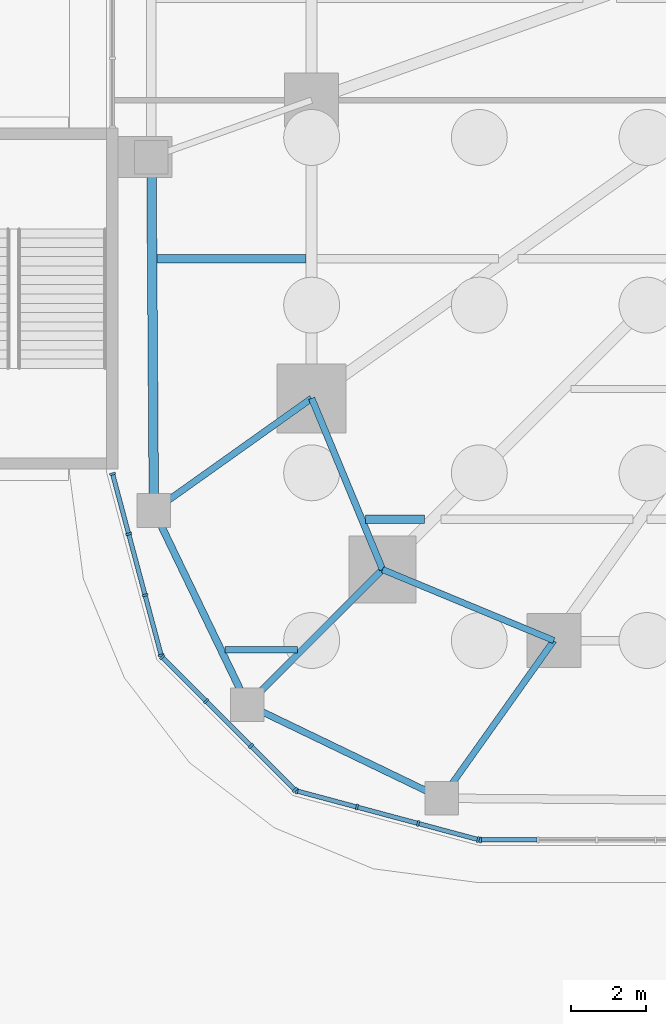
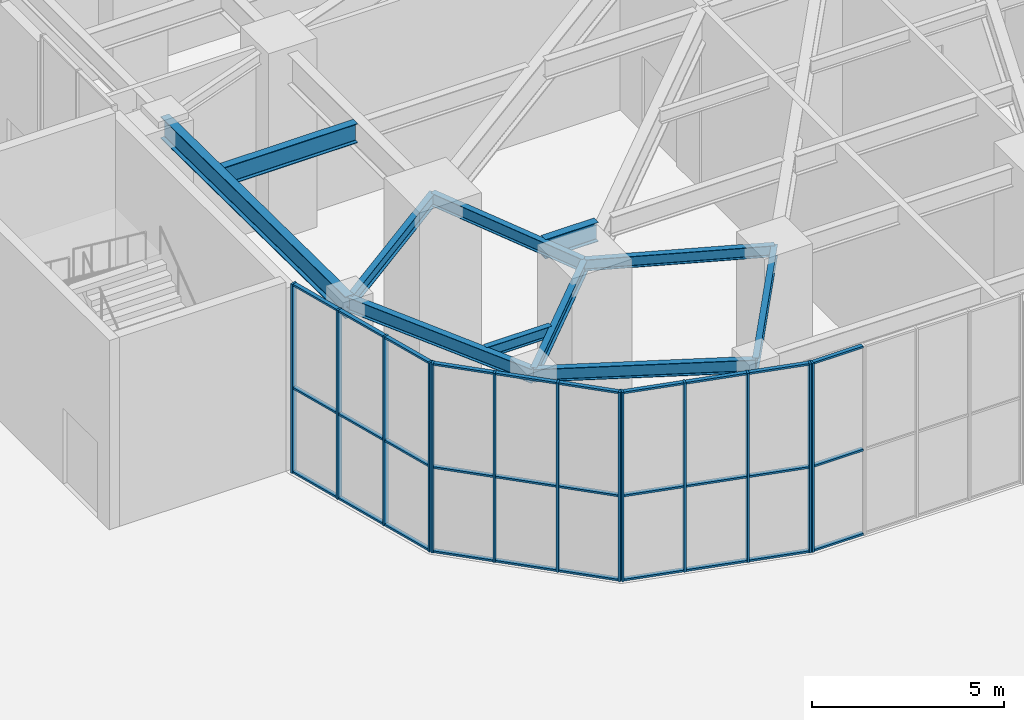
# One storey, part 5 of 43: 43 members, 11 beams, 4 elements without a shape of their own.
"""IFC4 building model written with IfcOpenShell, lengths in metres."""

import ifcopenshell
import ifcopenshell.guid

model = None  # the IFC model being written
_history = None  # IfcOwnerHistory: only IFC2X3 demands one
_inside = {}  # id of a spatial element -> (the spatial element, [elements in it])
_under = {}  # id of a project, library or spatial element -> (it, [spatial elements below it])
_declared = {}  # id of a project -> (the project, [libraries it declares])
_typed = {}  # id of a type object -> (the type object, [elements of that type])
_made_of = {}  # id of a material, layer set ... -> (it, [elements and type objects made of it])


def new_model(schema):
    """Start an empty IFC model of exactly this schema.

    Asked for "IFC4X3", IfcOpenShell would pick the latest addendum, in which some entities
    have other attributes; the version numbers below select the first issue.
    IFC2X3 requires an IfcOwnerHistory on every rooted entity: one is made here for all.
    """
    global model, _history
    if schema == "IFC4X3":
        model = ifcopenshell.file(schema_version=(4, 3, 0, 0))
    else:
        model = ifcopenshell.file(schema=schema)
    _inside.clear()
    _under.clear()
    _declared.clear()
    _typed.clear()
    _made_of.clear()
    _history = None
    if model.schema == "IFC2X3":
        org = make("IfcOrganization", Name="unknown")
        user = make(
            "IfcPersonAndOrganization",
            ThePerson=make("IfcPerson", FamilyName="unknown"),
            TheOrganization=org,
        )
        app = make(
            "IfcApplication",
            ApplicationDeveloper=org,
            Version="unknown",
            ApplicationFullName="unknown",
            ApplicationIdentifier="unknown",
        )
        _history = make(
            "IfcOwnerHistory",
            OwningUser=user,
            OwningApplication=app,
            ChangeAction="ADDED",
            CreationDate=0,
        )
    return model


def make(cls, **values):
    """One entity of the class cls with the attributes given. An attribute that is None is left unset."""
    return model.create_entity(
        cls, **{name: value for name, value in values.items() if value is not None}
    )


def rooted(cls, **values):
    """An entity with a GlobalId (a new one), such as an element, a storey or a relation."""
    return make(cls, GlobalId=ifcopenshell.guid.new(), OwnerHistory=_history, **values)


def si_unit(unit_type, name, prefix=None):
    """IfcSIUnit, for example si_unit("LENGTHUNIT", "METRE", prefix="MILLI")."""
    return make("IfcSIUnit", UnitType=unit_type, Prefix=prefix, Name=name)


def assignment(units):
    """IfcUnitAssignment: the units of a project."""
    return None if units is None else make("IfcUnitAssignment", Units=units)


def point(xyz):
    """IfcCartesianPoint."""
    return None if xyz is None else make("IfcCartesianPoint", Coordinates=xyz)


def direction(xyz):
    """IfcDirection."""
    return None if xyz is None else make("IfcDirection", DirectionRatios=xyz)


def frame(location, z_axis=None, x_axis=None):
    """IfcAxis2Placement3D, a coordinate frame: its origin and axes. An axis left out is left unset."""
    return make(
        "IfcAxis2Placement3D",
        Location=point(location),
        Axis=direction(z_axis),
        RefDirection=direction(x_axis),
    )


def frame_2d(location, x_axis=None):
    """IfcAxis2Placement2D, a coordinate frame in the plane: its origin and x axis."""
    return make(
        "IfcAxis2Placement2D", Location=point(location), RefDirection=direction(x_axis)
    )


def origin():
    """The frame at (0, 0, 0) with its axes left unset."""
    return frame((0.0, 0.0, 0.0))


def origin_2d():
    """The frame at (0, 0) in the plane with its x axis left unset."""
    return frame_2d((0.0, 0.0))


def place(relative_to, where):
    """IfcLocalPlacement: puts the frame where relative to a parent placement (None: the world)."""
    return make(
        "IfcLocalPlacement", PlacementRelTo=relative_to, RelativePlacement=where
    )


def context(
    kind, dimensions, precision=None, world=None, true_north=None, identifier=None
):
    """IfcGeometricRepresentationContext, for example the 3D "Model" context."""
    return make(
        "IfcGeometricRepresentationContext",
        ContextIdentifier=identifier,
        ContextType=kind,
        CoordinateSpaceDimension=dimensions,
        Precision=precision,
        WorldCoordinateSystem=world,
        TrueNorth=true_north,
    )


def subcontext(parent, identifier, kind, view, scale=None):
    """IfcGeometricRepresentationSubContext, for example "Body" below "Model"."""
    return make(
        "IfcGeometricRepresentationSubContext",
        ContextIdentifier=identifier,
        ContextType=kind,
        ParentContext=parent,
        TargetScale=scale,
        TargetView=view,
    )


def project(units=None, contexts=None):
    """IfcProject with its units and contexts."""
    return rooted(
        "IfcProject",
        Name="project",
        RepresentationContexts=contexts,
        UnitsInContext=assignment(units),
    )


def spatial(cls, under=None, at=None, **own):
    """A site, building, storey or space (cls), placed at a placement, below another one or the project."""
    s = rooted(cls, ObjectPlacement=at, **own)
    if under is not None:
        _under.setdefault(under.id(), (under, []))[1].append(s)
    return s


def profile(cls, at=None, kind="AREA", **sizes):
    """A parametric profile (cls). Its sizes go by their IFC names, for example OverallWidth=200.0."""
    return make(cls, ProfileType=kind, Position=at, **sizes)


def rectangle(**sizes):
    """IfcRectangleProfileDef."""
    return profile("IfcRectangleProfileDef", **sizes)


def i_section(**sizes):
    """IfcIShapeProfileDef."""
    return profile("IfcIShapeProfileDef", **sizes)


def extrude(swept, where, along, depth):
    """IfcExtrudedAreaSolid: the profile swept, set in the frame where, extruded along a direction by depth."""
    return make(
        "IfcExtrudedAreaSolid",
        SweptArea=swept,
        Position=where,
        ExtrudedDirection=direction(along),
        Depth=depth,
    )


def shape(context_of_items, identifier, shape_type, items):
    """IfcShapeRepresentation: the items that make up one representation, for example the "Body"."""
    return make(
        "IfcShapeRepresentation",
        ContextOfItems=context_of_items,
        RepresentationIdentifier=identifier,
        RepresentationType=shape_type,
        Items=items,
    )


def material(Name=None, Category=None):
    """IfcMaterial."""
    return make("IfcMaterial", Name=Name, Category=Category)


def material_profile(
    of_material, cross_section, Name=None, Category=None, Priority=None
):
    """IfcMaterialProfile: a cross section and its material."""
    return make(
        "IfcMaterialProfile",
        Name=Name,
        Material=of_material,
        Profile=cross_section,
        Priority=Priority,
        Category=Category,
    )


def profile_set(profiles, Name=None, composite=None):
    """IfcMaterialProfileSet."""
    return make(
        "IfcMaterialProfileSet",
        Name=Name,
        MaterialProfiles=profiles,
        CompositeProfile=composite,
    )


def made_of(thing, what):
    """Note that an element or type object is made of a material, layer set ...; save() writes the relation."""
    if what is not None:
        _made_of.setdefault(what.id(), (what, []))[1].append(thing)
    return thing


def type_object(cls, material=None, **own):
    """A type object (cls), such as IfcWallType, which elements share."""
    return made_of(rooted(cls, **own), material)


def element(
    cls,
    number,
    at=None,
    inside=None,
    cuts=None,
    type_object=None,
    material=None,
    context=None,
    identifier="Body",
    shape_type=None,
    held_by="IfcProductDefinitionShape",
    body=None,
    shapes=None,
    **own,
):
    """One element of the class cls, such as IfcWall. Its Tag is "e" and its number.

    at: its placement. inside: the storey or other place that contains it. cuts: it is an
    opening in that element (IfcRelVoidsElement). A single representation is given by context,
    identifier, shape_type and body (its items); several are given by shapes. held_by: the class
    of the entity that holds the representations. save() writes the other relations.
    """
    e = rooted(cls, Tag="e%d" % number, ObjectPlacement=at, **own)
    if body is not None:
        shapes = [shape(context, identifier, shape_type, body)]
    if shapes is not None:
        e.Representation = make(held_by, Representations=shapes)
    if inside is not None:
        _inside.setdefault(inside.id(), (inside, []))[1].append(e)
    if cuts is not None:
        rooted(
            "IfcRelVoidsElement", RelatingBuildingElement=cuts, RelatedOpeningElement=e
        )
    if type_object is not None:
        _typed.setdefault(type_object.id(), (type_object, []))[1].append(e)
    return made_of(e, material)


def aggregate(whole, parts):
    """IfcRelAggregates: a whole, such as a stair, and the parts it consists of."""
    return rooted("IfcRelAggregates", RelatingObject=whole, RelatedObjects=parts)


def save(model, path):
    """Write the relations noted so far, then the file.

    IfcRelAggregates (storeys below a building ...), IfcRelContainedInSpatialStructure (elements
    in a storey), IfcRelDefinesByType, IfcRelAssociatesMaterial and IfcRelDeclares: one each for
    every whole, place, type object, material and project.
    """
    for whole, parts in _under.values():
        aggregate(whole, parts)
    for where, things in _inside.values():
        rooted(
            "IfcRelContainedInSpatialStructure",
            RelatedElements=things,
            RelatingStructure=where,
        )
    for kind, things in _typed.values():
        rooted("IfcRelDefinesByType", RelatedObjects=things, RelatingType=kind)
    for what, things in _made_of.values():
        rooted("IfcRelAssociatesMaterial", RelatedObjects=things, RelatingMaterial=what)
    for by, libraries in _declared.values():
        rooted("IfcRelDeclares", RelatingContext=by, RelatedDefinitions=libraries)
    model.write(path)


model = new_model("IFC4")

# Units and contexts
model_context = context("Model", 3, precision=1e-05, world=origin(), true_north=direction((0.0, 1.0)))
body_context = subcontext(model_context, "Body", "Model", "MODEL_VIEW")
ifc_project = project(units=[si_unit("LENGTHUNIT", "METRE"), si_unit("AREAUNIT", "SQUARE_METRE"), si_unit("VOLUMEUNIT", "CUBIC_METRE"), si_unit("PLANEANGLEUNIT", "RADIAN"), si_unit("MASSUNIT", "GRAM", prefix="KILO")], contexts=[model_context])

# Site, building, storey
site_placement = place(None, origin())
site = spatial("IfcSite", under=ifc_project, at=site_placement, CompositionType="ELEMENT")
building_placement = place(site_placement, origin())
building = spatial("IfcBuilding", under=site, at=building_placement, Name="Nakasero Lantern House", CompositionType="ELEMENT")
storey_placement = place(building_placement, origin())
storey = spatial("IfcBuildingStorey", under=building, at=storey_placement, Name="L00", CompositionType="ELEMENT", Elevation=0.0)

# Beams
ifc_material_1 = material(Name="Steel S355", Category="steel")
ifc_material_profile_1 = material_profile(ifc_material_1, i_section(OverallWidth=0.17138671875, OverallDepth=0.35498046875, WebThickness=0.00732421875, FlangeThickness=0.011474609375, FilletRadius=0.01025390625, at=origin_2d()), Name="UB 356x171x51")
ifc_profile_set_1 = profile_set([ifc_material_profile_1], Name="Steel S355")
beam_type_1 = type_object("IfcBeamType", Name="Infill beam UB 356x171x51", PredefinedType="JOIST", material=ifc_profile_set_1)
beam_1_placement = place(storey_placement, frame((-24.82666015625, -22.75, 5.62255859375), z_axis=(1.0, 0.0, 0.0), x_axis=(0.0, 1.0, 0.0)))
element("IfcBeam", 1, at=beam_1_placement, inside=storey, type_object=beam_type_1, Name="Infill beam L01 02.1", PredefinedType="JOIST", context=body_context, shape_type="SweptSolid", body=[
    extrude(i_section(OverallWidth=0.17138671875, OverallDepth=0.35498046875, WebThickness=0.00732421875, FlangeThickness=0.011474609375, FilletRadius=0.01025390625, at=origin_2d()), origin(), (0.0, 0.0, 1.0), 1.950927734375),
])
ifc_material_2 = material(Name="Steel S355", Category="steel")
ifc_material_profile_2 = material_profile(ifc_material_2, i_section(OverallWidth=0.22900390625, OverallDepth=0.6123046875, WebThickness=0.011962890625, FlangeThickness=0.01953125, FilletRadius=0.0126953125, at=origin_2d()), Name="UB 610x229x125")
ifc_profile_set_2 = profile_set([ifc_material_profile_2], Name="Steel S355")
beam_type_2 = type_object("IfcBeamType", Name="Infill beam UB 610x229x125", PredefinedType="JOIST", material=ifc_profile_set_2)
beam_2_placement = place(storey_placement, frame((-21.0576171875, -19.25, 5.493896484375), z_axis=(1.0, 0.0, 0.0), x_axis=(0.0, 1.0, 0.0)))
element("IfcBeam", 2, at=beam_2_placement, inside=storey, type_object=beam_type_2, Name="Infill beam L01 03.1", PredefinedType="JOIST", context=body_context, shape_type="SweptSolid", body=[
    extrude(i_section(OverallWidth=0.22900390625, OverallDepth=0.6123046875, WebThickness=0.011962890625, FlangeThickness=0.01953125, FilletRadius=0.0126953125, at=origin_2d()), origin(), (0.0, 0.0, 1.0), 1.591552734375),
])
beam_3_placement = place(storey_placement, frame((-26.653076171875, -12.25, 5.493896484375), z_axis=(1.0, 0.0, 0.0), x_axis=(0.0, 1.0, 0.0)))
element("IfcBeam", 3, at=beam_3_placement, inside=storey, type_object=beam_type_2, Name="Infill beam L01 05.1", PredefinedType="JOIST", context=body_context, shape_type="SweptSolid", body=[
    extrude(i_section(OverallWidth=0.22900390625, OverallDepth=0.6123046875, WebThickness=0.011962890625, FlangeThickness=0.01953125, FilletRadius=0.0126953125, at=origin_2d()), origin(), (0.0, 0.0, 1.0), 4.003173828125),
])

# Curtain wall, members
ifc_material_3 = material(Name="Aluminium 6063-T6 and glass", Category="aluminium")
curtain_wall_type = type_object("IfcCurtainWallType", Name="Podium shopfront glazing CW-1", PredefinedType="USERDEFINED", material=ifc_material_3)
curtain_wall_1_placement = place(storey_placement, origin())
curtain_wall_1 = element("IfcCurtainWall", 4, at=curtain_wall_1_placement, inside=storey, type_object=curtain_wall_type, Name="Curtain wall CW-1 L00", ObjectType="STICK CURTAIN WALL", PredefinedType="USERDEFINED")
ifc_material_4 = material(Name="Aluminium 6063-T6", Category="aluminium")
ifc_material_profile_3 = material_profile(ifc_material_4, rectangle(XDim=0.06005859375, YDim=0.159912109375, at=origin_2d()), Name="CW-1 mullion 60x160")
ifc_profile_set_3 = profile_set([ifc_material_profile_3], Name="Aluminium 6063-T6")
member_type_1 = type_object("IfcMemberType", Name="Mullion CW-1", PredefinedType="MULLION", material=ifc_profile_set_3)
member_1_placement = place(storey_placement, frame((-27.84228515625, -18.029052734375, 0.0), z_axis=(0.0, 0.0, 1.0), x_axis=(0.258819045103, -0.965925826289, 0.0)))
member_1 = element("IfcMember", 5, at=member_1_placement, type_object=member_type_1, Name="CW-1 mullion 1", PredefinedType="MULLION", context=body_context, shape_type="SweptSolid", body=[
    extrude(rectangle(XDim=0.06005859375, YDim=0.159912109375, at=origin_2d()), origin(), (0.0, 0.0, 1.0), 6.0),
])
member_2_placement = place(storey_placement, frame((-27.41015625, -19.6416015625, 0.0), z_axis=(0.0, 0.0, 1.0), x_axis=(0.258819045103, -0.965925826289, 0.0)))
member_2 = element("IfcMember", 6, at=member_2_placement, type_object=member_type_1, Name="CW-1 mullion 2", PredefinedType="MULLION", context=body_context, shape_type="SweptSolid", body=[
    extrude(rectangle(XDim=0.06005859375, YDim=0.159912109375, at=origin_2d()), origin(), (0.0, 0.0, 1.0), 6.0),
])
member_3_placement = place(storey_placement, frame((-26.97021484375, -21.283447265625, 0.0), z_axis=(0.0, 0.0, 1.0), x_axis=(0.258819045103, -0.965925826289, 0.0)))
member_3 = element("IfcMember", 7, at=member_3_placement, type_object=member_type_1, Name="CW-1 mullion 3", PredefinedType="MULLION", context=body_context, shape_type="SweptSolid", body=[
    extrude(rectangle(XDim=0.06005859375, YDim=0.159912109375, at=origin_2d()), origin(), (0.0, 0.0, 1.0), 6.0),
])
member_4_placement = place(storey_placement, frame((-26.5380859375, -22.89599609375, 0.0), z_axis=(0.0, 0.0, 1.0), x_axis=(0.258819045103, -0.965925826289, 0.0)))
member_4 = element("IfcMember", 8, at=member_4_placement, type_object=member_type_1, Name="CW-1 mullion 4", PredefinedType="MULLION", context=body_context, shape_type="SweptSolid", body=[
    extrude(rectangle(XDim=0.06005859375, YDim=0.159912109375, at=origin_2d()), origin(), (0.0, 0.0, 1.0), 6.0),
])

curtain_wall_2_placement = place(storey_placement, origin())
curtain_wall_2 = element("IfcCurtainWall", 9, at=curtain_wall_2_placement, inside=storey, type_object=curtain_wall_type, Name="Curtain wall CW-1 L00", ObjectType="STICK CURTAIN WALL", PredefinedType="USERDEFINED")
member_5_placement = place(storey_placement, frame((-26.509033203125, -22.9462890625, 0.0), z_axis=(0.0, 0.0, 1.0), x_axis=(0.707106781187, -0.707106781187, 0.0)))
member_5 = element("IfcMember", 10, at=member_5_placement, type_object=member_type_1, Name="CW-1 mullion 1", PredefinedType="MULLION", context=body_context, shape_type="SweptSolid", body=[
    extrude(rectangle(XDim=0.06005859375, YDim=0.159912109375, at=origin_2d()), origin(), (0.0, 0.0, 1.0), 6.0),
])
member_6_placement = place(storey_placement, frame((-25.32861328125, -24.126708984375, 0.0), z_axis=(0.0, 0.0, 1.0), x_axis=(0.707106781187, -0.707106781187, 0.0)))
member_6 = element("IfcMember", 11, at=member_6_placement, type_object=member_type_1, Name="CW-1 mullion 2", PredefinedType="MULLION", context=body_context, shape_type="SweptSolid", body=[
    extrude(rectangle(XDim=0.06005859375, YDim=0.159912109375, at=origin_2d()), origin(), (0.0, 0.0, 1.0), 6.0),
])
member_7_placement = place(storey_placement, frame((-24.126708984375, -25.32861328125, 0.0), z_axis=(0.0, 0.0, 1.0), x_axis=(0.707106781187, -0.707106781187, 0.0)))
member_7 = element("IfcMember", 12, at=member_7_placement, type_object=member_type_1, Name="CW-1 mullion 3", PredefinedType="MULLION", context=body_context, shape_type="SweptSolid", body=[
    extrude(rectangle(XDim=0.06005859375, YDim=0.159912109375, at=origin_2d()), origin(), (0.0, 0.0, 1.0), 6.0),
])
member_8_placement = place(storey_placement, frame((-22.9462890625, -26.509033203125, 0.0), z_axis=(0.0, 0.0, 1.0), x_axis=(0.707106781187, -0.707106781187, 0.0)))
member_8 = element("IfcMember", 13, at=member_8_placement, type_object=member_type_1, Name="CW-1 mullion 4", PredefinedType="MULLION", context=body_context, shape_type="SweptSolid", body=[
    extrude(rectangle(XDim=0.06005859375, YDim=0.159912109375, at=origin_2d()), origin(), (0.0, 0.0, 1.0), 6.0),
])

curtain_wall_3_placement = place(storey_placement, origin())
curtain_wall_3 = element("IfcCurtainWall", 14, at=curtain_wall_3_placement, inside=storey, type_object=curtain_wall_type, Name="Curtain wall CW-1 L00", ObjectType="STICK CURTAIN WALL", PredefinedType="USERDEFINED")
member_9_placement = place(storey_placement, frame((-22.89599609375, -26.5380859375, 0.0), z_axis=(0.0, 0.0, 1.0), x_axis=(0.965925826289, -0.258819045103, 0.0)))
member_9 = element("IfcMember", 15, at=member_9_placement, type_object=member_type_1, Name="CW-1 mullion 1", PredefinedType="MULLION", context=body_context, shape_type="SweptSolid", body=[
    extrude(rectangle(XDim=0.06005859375, YDim=0.159912109375, at=origin_2d()), origin(), (0.0, 0.0, 1.0), 6.0),
])
member_10_placement = place(storey_placement, frame((-21.283447265625, -26.97021484375, 0.0), z_axis=(0.0, 0.0, 1.0), x_axis=(0.965925826289, -0.258819045103, 0.0)))
member_10 = element("IfcMember", 16, at=member_10_placement, type_object=member_type_1, Name="CW-1 mullion 2", PredefinedType="MULLION", context=body_context, shape_type="SweptSolid", body=[
    extrude(rectangle(XDim=0.06005859375, YDim=0.159912109375, at=origin_2d()), origin(), (0.0, 0.0, 1.0), 6.0),
])
member_11_placement = place(storey_placement, frame((-19.6416015625, -27.41015625, 0.0), z_axis=(0.0, 0.0, 1.0), x_axis=(0.965925826289, -0.258819045103, 0.0)))
member_11 = element("IfcMember", 17, at=member_11_placement, type_object=member_type_1, Name="CW-1 mullion 3", PredefinedType="MULLION", context=body_context, shape_type="SweptSolid", body=[
    extrude(rectangle(XDim=0.06005859375, YDim=0.159912109375, at=origin_2d()), origin(), (0.0, 0.0, 1.0), 6.0),
])
member_12_placement = place(storey_placement, frame((-18.029052734375, -27.84228515625, 0.0), z_axis=(0.0, 0.0, 1.0), x_axis=(0.965925826289, -0.258819045103, 0.0)))
member_12 = element("IfcMember", 18, at=member_12_placement, type_object=member_type_1, Name="CW-1 mullion 4", PredefinedType="MULLION", context=body_context, shape_type="SweptSolid", body=[
    extrude(rectangle(XDim=0.06005859375, YDim=0.159912109375, at=origin_2d()), origin(), (0.0, 0.0, 1.0), 6.0),
])

# Curtain wall, member
curtain_wall_4_placement = place(storey_placement, origin())
curtain_wall_4 = element("IfcCurtainWall", 19, at=curtain_wall_4_placement, inside=storey, type_object=curtain_wall_type, Name="Curtain wall CW-1 L00", ObjectType="STICK CURTAIN WALL", PredefinedType="USERDEFINED")
member_13_placement = place(storey_placement, frame((-17.969970703125, -27.85009765625, 0.0), z_axis=(0.0, 0.0, 1.0), x_axis=(1.0, 0.0, 0.0)))
member_13 = element("IfcMember", 20, at=member_13_placement, type_object=member_type_1, Name="CW-1 mullion 1", PredefinedType="MULLION", context=body_context, shape_type="SweptSolid", body=[
    extrude(rectangle(XDim=0.06005859375, YDim=0.159912109375, at=origin_2d()), origin(), (0.0, 0.0, 1.0), 6.0),
])

# Beams
ifc_material_5 = material(Name="Steel S355", Category="steel")
ifc_material_profile_4 = material_profile(ifc_material_5, i_section(OverallWidth=0.17138671875, OverallDepth=0.35498046875, WebThickness=0.00732421875, FlangeThickness=0.011474609375, FilletRadius=0.01025390625, at=origin_2d()), Name="UB 356x171x51")
ifc_profile_set_4 = profile_set([ifc_material_profile_4], Name="Steel S355")
beam_type_3 = type_object("IfcBeamType", Name="Primary beam UB 356x171x51, span to 6 m", PredefinedType="BEAM", material=ifc_profile_set_4)
beam_4_placement = place(storey_placement, frame((-19.0107421875, -26.733642578125, 5.62255859375), z_axis=(0.57954320692, 0.814941514044, 0.0), x_axis=(-0.814941514044, 0.57954320692, 0.0)))
element("IfcBeam", 21, at=beam_4_placement, inside=storey, type_object=beam_type_3, Name="Primary beam L01 POD-C19", PredefinedType="BEAM", context=body_context, shape_type="SweptSolid", body=[
    extrude(i_section(OverallWidth=0.17138671875, OverallDepth=0.35498046875, WebThickness=0.00732421875, FlangeThickness=0.011474609375, FilletRadius=0.01025390625, at=origin_2d()), origin(), (0.0, 0.0, 1.0), 5.195068359375),
])
ifc_material_6 = material(Name="Steel S355", Category="steel")
ifc_material_profile_5 = material_profile(ifc_material_6, i_section(OverallWidth=0.177978515625, OverallDepth=0.406494140625, WebThickness=0.0078125, FlangeThickness=0.0126953125, FilletRadius=0.01025390625, at=origin_2d()), Name="UB 406x178x60")
ifc_profile_set_5 = profile_set([ifc_material_profile_5], Name="Steel S355")
beam_type_4 = type_object("IfcBeamType", Name="Primary beam UB 406x178x60, span to 6 m", PredefinedType="BEAM", material=ifc_profile_set_5)
beam_5_placement = place(storey_placement, frame((-26.733642578125, -19.0107421875, 5.5966796875), z_axis=(0.814941514044, 0.57954320692, 0.0), x_axis=(-0.57954320692, 0.814941514044, 0.0)))
element("IfcBeam", 22, at=beam_5_placement, inside=storey, type_object=beam_type_4, Name="Primary beam L01 POD-C17", PredefinedType="BEAM", context=body_context, shape_type="SweptSolid", body=[
    extrude(i_section(OverallWidth=0.177978515625, OverallDepth=0.406494140625, WebThickness=0.0078125, FlangeThickness=0.0126953125, FilletRadius=0.01025390625, at=origin_2d()), origin(), (0.0, 0.0, 1.0), 5.195068359375),
])
beam_6_placement = place(storey_placement, frame((-24.22265625, -24.22265625, 5.5966796875), z_axis=(0.707106781187, 0.707106781187, 0.0), x_axis=(-0.707106781187, 0.707106781187, 0.0)))
element("IfcBeam", 23, at=beam_6_placement, inside=storey, type_object=beam_type_4, Name="Primary beam L01 POD-C18", PredefinedType="BEAM", context=body_context, shape_type="SweptSolid", body=[
    extrude(i_section(OverallWidth=0.177978515625, OverallDepth=0.406494140625, WebThickness=0.0078125, FlangeThickness=0.0126953125, FilletRadius=0.01025390625, at=origin_2d()), origin(), (0.0, 0.0, 1.0), 5.128662109375),
])
ifc_material_7 = material(Name="Steel S355", Category="steel")
ifc_material_profile_6 = material_profile(ifc_material_7, i_section(OverallWidth=0.17138671875, OverallDepth=0.35498046875, WebThickness=0.00732421875, FlangeThickness=0.011474609375, FilletRadius=0.01025390625, at=origin_2d()), Name="UB 356x171x51")
ifc_profile_set_6 = profile_set([ifc_material_profile_6], Name="Steel S355")
beam_type_5 = type_object("IfcBeamType", Name="Ring beam UB 356x171x51", PredefinedType="BEAM", material=ifc_profile_set_6)
beam_7_placement = place(storey_placement, frame((-20.59619140625, -20.59619140625, 5.62255859375), z_axis=(0.923879264016, -0.382684080569, 0.0), x_axis=(0.382684080569, 0.923879264016, 0.0)))
element("IfcBeam", 24, at=beam_7_placement, inside=storey, type_object=beam_type_5, Name="Ring beam L01 B1-C18", PredefinedType="BEAM", context=body_context, shape_type="SweptSolid", body=[
    extrude(i_section(OverallWidth=0.17138671875, OverallDepth=0.35498046875, WebThickness=0.00732421875, FlangeThickness=0.011474609375, FilletRadius=0.01025390625, at=origin_2d()), origin(), (0.0, 0.0, 1.0), 4.974853515625),
])
ifc_material_8 = material(Name="Steel S355", Category="steel")
ifc_material_profile_7 = material_profile(ifc_material_8, i_section(OverallWidth=0.177978515625, OverallDepth=0.406494140625, WebThickness=0.0078125, FlangeThickness=0.0126953125, FilletRadius=0.01025390625, at=origin_2d()), Name="UB 406x178x60")
ifc_profile_set_7 = profile_set([ifc_material_profile_7], Name="Steel S355")
beam_type_6 = type_object("IfcBeamType", Name="Ring beam UB 406x178x60", PredefinedType="BEAM", material=ifc_profile_set_7)
beam_8_placement = place(storey_placement, frame((-22.5, -16.0, 5.5966796875), z_axis=(0.382684080569, -0.923879264016, 0.0), x_axis=(0.923879264016, 0.382684080569, 0.0)))
element("IfcBeam", 25, at=beam_8_placement, inside=storey, type_object=beam_type_6, Name="Ring beam L01 B1-C17", PredefinedType="BEAM", context=body_context, shape_type="SweptSolid", body=[
    extrude(i_section(OverallWidth=0.177978515625, OverallDepth=0.406494140625, WebThickness=0.0078125, FlangeThickness=0.0126953125, FilletRadius=0.01025390625, at=origin_2d()), origin(), (0.0, 0.0, 1.0), 4.974853515625),
])
beam_9_placement = place(storey_placement, frame((-24.22265625, -24.22265625, 5.5966796875), z_axis=(0.900897176145, -0.434032577134, 0.0), x_axis=(0.434032577134, 0.900897176145, 0.0)))
element("IfcBeam", 26, at=beam_9_placement, inside=storey, type_object=beam_type_6, Name="Ring beam L01 POD-C18", PredefinedType="BEAM", context=body_context, shape_type="SweptSolid", body=[
    extrude(i_section(OverallWidth=0.177978515625, OverallDepth=0.406494140625, WebThickness=0.0078125, FlangeThickness=0.0126953125, FilletRadius=0.01025390625, at=origin_2d()), origin(), (0.0, 0.0, 1.0), 5.78515625),
])
ifc_material_9 = material(Name="Steel S355", Category="steel")
ifc_material_profile_8 = material_profile(ifc_material_9, i_section(OverallWidth=0.18994140625, OverallDepth=0.453369140625, WebThickness=0.008544921875, FlangeThickness=0.0126953125, FilletRadius=0.01025390625, at=origin_2d()), Name="UB 457x191x67")
ifc_profile_set_8 = profile_set([ifc_material_profile_8], Name="Steel S355")
beam_type_7 = type_object("IfcBeamType", Name="Ring beam UB 457x191x67", PredefinedType="BEAM", material=ifc_profile_set_8)
beam_10_placement = place(storey_placement, frame((-26.733642578125, -19.0107421875, 5.5732421875), z_axis=(0.434032577134, -0.900897176145, 0.0), x_axis=(0.900897176145, 0.434032577134, 0.0)))
element("IfcBeam", 27, at=beam_10_placement, inside=storey, type_object=beam_type_7, Name="Ring beam L01 POD-C17", PredefinedType="BEAM", context=body_context, shape_type="SweptSolid", body=[
    extrude(i_section(OverallWidth=0.18994140625, OverallDepth=0.453369140625, WebThickness=0.008544921875, FlangeThickness=0.0126953125, FilletRadius=0.01025390625, at=origin_2d()), origin(), (0.0, 0.0, 1.0), 5.78515625),
])
ifc_material_10 = material(Name="Steel S355", Category="steel")
ifc_material_profile_9 = material_profile(ifc_material_10, i_section(OverallWidth=0.255859375, OverallDepth=0.69287109375, WebThickness=0.014404296875, FlangeThickness=0.023681640625, FilletRadius=0.01513671875, at=origin_2d()), Name="UB 686x254x170")
ifc_profile_set_9 = profile_set([ifc_material_profile_9], Name="Steel S355")
beam_type_8 = type_object("IfcBeamType", Name="Ring beam UB 686x254x170", PredefinedType="BEAM", material=ifc_profile_set_9)
beam_11_placement = place(storey_placement, frame((-26.800048828125, -9.52880859375, 5.45361328125), z_axis=(0.007003278482, -0.999975476745, 0.0), x_axis=(0.999975476745, 0.007003278482, 0.0)))
element("IfcBeam", 28, at=beam_11_placement, inside=storey, type_object=beam_type_8, Name="Ring beam L01 POD-C16", PredefinedType="BEAM", context=body_context, shape_type="SweptSolid", body=[
    extrude(i_section(OverallWidth=0.255859375, OverallDepth=0.69287109375, WebThickness=0.014404296875, FlangeThickness=0.023681640625, FilletRadius=0.01513671875, at=origin_2d()), origin(), (0.0, 0.0, 1.0), 9.482177734375),
])

# Member
ifc_material_11 = material(Name="Aluminium 6063-T6", Category="aluminium")
ifc_material_profile_10 = material_profile(ifc_material_11, rectangle(XDim=0.06005859375, YDim=0.1201171875, at=origin_2d()), Name="CW-1 transom 60x120")
ifc_profile_set_10 = profile_set([ifc_material_profile_10], Name="Aluminium 6063-T6")
member_type_2 = type_object("IfcMemberType", Name="Transom CW-1", PredefinedType="USERDEFINED", material=ifc_profile_set_10)
member_14_placement = place(storey_placement, frame((-27.83447265625, -18.057861328125, 0.030029296875), z_axis=(0.258738612203, -0.96594737463, 0.0), x_axis=(0.0, 0.0, 1.0)))
member_14 = element("IfcMember", 29, at=member_14_placement, type_object=member_type_2, Name="CW-1 transom 1.1", ObjectType="TRANSOM", PredefinedType="USERDEFINED", context=body_context, shape_type="SweptSolid", body=[
    extrude(rectangle(XDim=0.06005859375, YDim=0.1201171875, at=origin_2d()), origin(), (0.0, 0.0, 1.0), 1.60986328125),
])

member_15_placement = place(storey_placement, frame((-27.83447265625, -18.057861328125, 2.699951171875), z_axis=(0.258738612203, -0.96594737463, 0.0), x_axis=(0.0, 0.0, 1.0)))
member_15 = element("IfcMember", 30, at=member_15_placement, type_object=member_type_2, Name="CW-1 transom 1.2", ObjectType="TRANSOM", PredefinedType="USERDEFINED", context=body_context, shape_type="SweptSolid", body=[
    extrude(rectangle(XDim=0.06005859375, YDim=0.1201171875, at=origin_2d()), origin(), (0.0, 0.0, 1.0), 1.60986328125),
])

member_16_placement = place(storey_placement, frame((-27.83447265625, -18.057861328125, 5.969970703125), z_axis=(0.258738612203, -0.96594737463, 0.0), x_axis=(0.0, 0.0, 1.0)))
member_16 = element("IfcMember", 31, at=member_16_placement, type_object=member_type_2, Name="CW-1 transom 1.3", ObjectType="TRANSOM", PredefinedType="USERDEFINED", context=body_context, shape_type="SweptSolid", body=[
    extrude(rectangle(XDim=0.06005859375, YDim=0.1201171875, at=origin_2d()), origin(), (0.0, 0.0, 1.0), 1.60986328125),
])

member_17_placement = place(storey_placement, frame((-27.40234375, -19.670654296875, 0.030029296875), z_axis=(0.258793147214, -0.965932765235, 0.0), x_axis=(0.0, 0.0, 1.0)))
member_17 = element("IfcMember", 32, at=member_17_placement, type_object=member_type_2, Name="CW-1 transom 2.1", ObjectType="TRANSOM", PredefinedType="USERDEFINED", context=body_context, shape_type="SweptSolid", body=[
    extrude(rectangle(XDim=0.06005859375, YDim=0.1201171875, at=origin_2d()), origin(), (0.0, 0.0, 1.0), 1.6396484375),
])

member_18_placement = place(storey_placement, frame((-27.40234375, -19.670654296875, 2.699951171875), z_axis=(0.258793147214, -0.965932765235, 0.0), x_axis=(0.0, 0.0, 1.0)))
member_18 = element("IfcMember", 33, at=member_18_placement, type_object=member_type_2, Name="CW-1 transom 2.2", ObjectType="TRANSOM", PredefinedType="USERDEFINED", context=body_context, shape_type="SweptSolid", body=[
    extrude(rectangle(XDim=0.06005859375, YDim=0.1201171875, at=origin_2d()), origin(), (0.0, 0.0, 1.0), 1.6396484375),
])

member_19_placement = place(storey_placement, frame((-27.40234375, -19.670654296875, 5.969970703125), z_axis=(0.258793147214, -0.965932765235, 0.0), x_axis=(0.0, 0.0, 1.0)))
member_19 = element("IfcMember", 34, at=member_19_placement, type_object=member_type_2, Name="CW-1 transom 2.3", ObjectType="TRANSOM", PredefinedType="USERDEFINED", context=body_context, shape_type="SweptSolid", body=[
    extrude(rectangle(XDim=0.06005859375, YDim=0.1201171875, at=origin_2d()), origin(), (0.0, 0.0, 1.0), 1.6396484375),
])

member_20_placement = place(storey_placement, frame((-26.96240234375, -21.312255859375, 0.030029296875), z_axis=(0.258776522595, -0.965937219158, 0.0), x_axis=(0.0, 0.0, 1.0)))
member_20 = element("IfcMember", 35, at=member_20_placement, type_object=member_type_2, Name="CW-1 transom 3.1", ObjectType="TRANSOM", PredefinedType="USERDEFINED", context=body_context, shape_type="SweptSolid", body=[
    extrude(rectangle(XDim=0.06005859375, YDim=0.1201171875, at=origin_2d()), origin(), (0.0, 0.0, 1.0), 1.609619140625),
])

member_21_placement = place(storey_placement, frame((-26.96240234375, -21.312255859375, 2.699951171875), z_axis=(0.258776522595, -0.965937219158, 0.0), x_axis=(0.0, 0.0, 1.0)))
member_21 = element("IfcMember", 36, at=member_21_placement, type_object=member_type_2, Name="CW-1 transom 3.2", ObjectType="TRANSOM", PredefinedType="USERDEFINED", context=body_context, shape_type="SweptSolid", body=[
    extrude(rectangle(XDim=0.06005859375, YDim=0.1201171875, at=origin_2d()), origin(), (0.0, 0.0, 1.0), 1.609619140625),
])

member_22_placement = place(storey_placement, frame((-26.96240234375, -21.312255859375, 5.969970703125), z_axis=(0.258776522595, -0.965937219158, 0.0), x_axis=(0.0, 0.0, 1.0)))
member_22 = element("IfcMember", 37, at=member_22_placement, type_object=member_type_2, Name="CW-1 transom 3.3", ObjectType="TRANSOM", PredefinedType="USERDEFINED", context=body_context, shape_type="SweptSolid", body=[
    extrude(rectangle(XDim=0.06005859375, YDim=0.1201171875, at=origin_2d()), origin(), (0.0, 0.0, 1.0), 1.609619140625),
])

aggregate(curtain_wall_1, [member_1, member_2, member_3, member_4, member_14, member_15, member_16, member_17, member_18, member_19, member_20, member_21, member_22])

member_23_placement = place(storey_placement, frame((-26.488037109375, -22.967529296875, 0.030029296875), z_axis=(0.707182622531, -0.707030931707, 0.0), x_axis=(0.0, 0.0, 1.0)))
member_23 = element("IfcMember", 38, at=member_23_placement, type_object=member_type_2, Name="CW-1 transom 1.1", ObjectType="TRANSOM", PredefinedType="USERDEFINED", context=body_context, shape_type="SweptSolid", body=[
    extrude(rectangle(XDim=0.06005859375, YDim=0.1201171875, at=origin_2d()), origin(), (0.0, 0.0, 1.0), 1.609375),
])

member_24_placement = place(storey_placement, frame((-26.488037109375, -22.967529296875, 2.699951171875), z_axis=(0.707182622531, -0.707030931707, 0.0), x_axis=(0.0, 0.0, 1.0)))
member_24 = element("IfcMember", 39, at=member_24_placement, type_object=member_type_2, Name="CW-1 transom 1.2", ObjectType="TRANSOM", PredefinedType="USERDEFINED", context=body_context, shape_type="SweptSolid", body=[
    extrude(rectangle(XDim=0.06005859375, YDim=0.1201171875, at=origin_2d()), origin(), (0.0, 0.0, 1.0), 1.609375),
])

member_25_placement = place(storey_placement, frame((-26.488037109375, -22.967529296875, 5.969970703125), z_axis=(0.707182622531, -0.707030931707, 0.0), x_axis=(0.0, 0.0, 1.0)))
member_25 = element("IfcMember", 40, at=member_25_placement, type_object=member_type_2, Name="CW-1 transom 1.3", ObjectType="TRANSOM", PredefinedType="USERDEFINED", context=body_context, shape_type="SweptSolid", body=[
    extrude(rectangle(XDim=0.06005859375, YDim=0.1201171875, at=origin_2d()), origin(), (0.0, 0.0, 1.0), 1.609375),
])

member_26_placement = place(storey_placement, frame((-25.307373046875, -24.14794921875, 0.030029296875), z_axis=(0.707106781187, -0.707106781187, 0.0), x_axis=(0.0, 0.0, 1.0)))
member_26 = element("IfcMember", 41, at=member_26_placement, type_object=member_type_2, Name="CW-1 transom 2.1", ObjectType="TRANSOM", PredefinedType="USERDEFINED", context=body_context, shape_type="SweptSolid", body=[
    extrude(rectangle(XDim=0.06005859375, YDim=0.1201171875, at=origin_2d()), origin(), (0.0, 0.0, 1.0), 1.6396484375),
])

member_27_placement = place(storey_placement, frame((-25.307373046875, -24.14794921875, 2.699951171875), z_axis=(0.707106781187, -0.707106781187, 0.0), x_axis=(0.0, 0.0, 1.0)))
member_27 = element("IfcMember", 42, at=member_27_placement, type_object=member_type_2, Name="CW-1 transom 2.2", ObjectType="TRANSOM", PredefinedType="USERDEFINED", context=body_context, shape_type="SweptSolid", body=[
    extrude(rectangle(XDim=0.06005859375, YDim=0.1201171875, at=origin_2d()), origin(), (0.0, 0.0, 1.0), 1.6396484375),
])

member_28_placement = place(storey_placement, frame((-25.307373046875, -24.14794921875, 5.969970703125), z_axis=(0.707106781187, -0.707106781187, 0.0), x_axis=(0.0, 0.0, 1.0)))
member_28 = element("IfcMember", 43, at=member_28_placement, type_object=member_type_2, Name="CW-1 transom 2.3", ObjectType="TRANSOM", PredefinedType="USERDEFINED", context=body_context, shape_type="SweptSolid", body=[
    extrude(rectangle(XDim=0.06005859375, YDim=0.1201171875, at=origin_2d()), origin(), (0.0, 0.0, 1.0), 1.6396484375),
])

member_29_placement = place(storey_placement, frame((-24.10546875, -25.349853515625, 0.030029296875), z_axis=(0.707030931707, -0.707182622531, 0.0), x_axis=(0.0, 0.0, 1.0)))
member_29 = element("IfcMember", 44, at=member_29_placement, type_object=member_type_2, Name="CW-1 transom 3.1", ObjectType="TRANSOM", PredefinedType="USERDEFINED", context=body_context, shape_type="SweptSolid", body=[
    extrude(rectangle(XDim=0.06005859375, YDim=0.1201171875, at=origin_2d()), origin(), (0.0, 0.0, 1.0), 1.609375),
])

member_30_placement = place(storey_placement, frame((-24.10546875, -25.349853515625, 2.699951171875), z_axis=(0.707030931707, -0.707182622531, 0.0), x_axis=(0.0, 0.0, 1.0)))
member_30 = element("IfcMember", 45, at=member_30_placement, type_object=member_type_2, Name="CW-1 transom 3.2", ObjectType="TRANSOM", PredefinedType="USERDEFINED", context=body_context, shape_type="SweptSolid", body=[
    extrude(rectangle(XDim=0.06005859375, YDim=0.1201171875, at=origin_2d()), origin(), (0.0, 0.0, 1.0), 1.609375),
])

member_31_placement = place(storey_placement, frame((-24.10546875, -25.349853515625, 5.969970703125), z_axis=(0.707030931707, -0.707182622531, 0.0), x_axis=(0.0, 0.0, 1.0)))
member_31 = element("IfcMember", 46, at=member_31_placement, type_object=member_type_2, Name="CW-1 transom 3.3", ObjectType="TRANSOM", PredefinedType="USERDEFINED", context=body_context, shape_type="SweptSolid", body=[
    extrude(rectangle(XDim=0.06005859375, YDim=0.1201171875, at=origin_2d()), origin(), (0.0, 0.0, 1.0), 1.609375),
])

aggregate(curtain_wall_2, [member_5, member_6, member_7, member_8, member_23, member_24, member_25, member_26, member_27, member_28, member_29, member_30, member_31])

member_32_placement = place(storey_placement, frame((-22.866943359375, -26.5458984375, 0.030029296875), z_axis=(0.965937219158, -0.258776522595, 0.0), x_axis=(0.0, 0.0, 1.0)))
member_32 = element("IfcMember", 47, at=member_32_placement, type_object=member_type_2, Name="CW-1 transom 1.1", ObjectType="TRANSOM", PredefinedType="USERDEFINED", context=body_context, shape_type="SweptSolid", body=[
    extrude(rectangle(XDim=0.06005859375, YDim=0.1201171875, at=origin_2d()), origin(), (0.0, 0.0, 1.0), 1.609619140625),
])

member_33_placement = place(storey_placement, frame((-22.866943359375, -26.5458984375, 2.699951171875), z_axis=(0.965937219158, -0.258776522595, 0.0), x_axis=(0.0, 0.0, 1.0)))
member_33 = element("IfcMember", 48, at=member_33_placement, type_object=member_type_2, Name="CW-1 transom 1.2", ObjectType="TRANSOM", PredefinedType="USERDEFINED", context=body_context, shape_type="SweptSolid", body=[
    extrude(rectangle(XDim=0.06005859375, YDim=0.1201171875, at=origin_2d()), origin(), (0.0, 0.0, 1.0), 1.609619140625),
])

member_34_placement = place(storey_placement, frame((-22.866943359375, -26.5458984375, 5.969970703125), z_axis=(0.965937219158, -0.258776522595, 0.0), x_axis=(0.0, 0.0, 1.0)))
member_34 = element("IfcMember", 49, at=member_34_placement, type_object=member_type_2, Name="CW-1 transom 1.3", ObjectType="TRANSOM", PredefinedType="USERDEFINED", context=body_context, shape_type="SweptSolid", body=[
    extrude(rectangle(XDim=0.06005859375, YDim=0.1201171875, at=origin_2d()), origin(), (0.0, 0.0, 1.0), 1.609619140625),
])

member_35_placement = place(storey_placement, frame((-21.25439453125, -26.97802734375, 0.030029296875), z_axis=(0.965932765235, -0.258793147214, 0.0), x_axis=(0.0, 0.0, 1.0)))
member_35 = element("IfcMember", 50, at=member_35_placement, type_object=member_type_2, Name="CW-1 transom 2.1", ObjectType="TRANSOM", PredefinedType="USERDEFINED", context=body_context, shape_type="SweptSolid", body=[
    extrude(rectangle(XDim=0.06005859375, YDim=0.1201171875, at=origin_2d()), origin(), (0.0, 0.0, 1.0), 1.6396484375),
])

member_36_placement = place(storey_placement, frame((-21.25439453125, -26.97802734375, 2.699951171875), z_axis=(0.965932765235, -0.258793147214, 0.0), x_axis=(0.0, 0.0, 1.0)))
member_36 = element("IfcMember", 51, at=member_36_placement, type_object=member_type_2, Name="CW-1 transom 2.2", ObjectType="TRANSOM", PredefinedType="USERDEFINED", context=body_context, shape_type="SweptSolid", body=[
    extrude(rectangle(XDim=0.06005859375, YDim=0.1201171875, at=origin_2d()), origin(), (0.0, 0.0, 1.0), 1.6396484375),
])

member_37_placement = place(storey_placement, frame((-21.25439453125, -26.97802734375, 5.969970703125), z_axis=(0.965932765235, -0.258793147214, 0.0), x_axis=(0.0, 0.0, 1.0)))
member_37 = element("IfcMember", 52, at=member_37_placement, type_object=member_type_2, Name="CW-1 transom 2.3", ObjectType="TRANSOM", PredefinedType="USERDEFINED", context=body_context, shape_type="SweptSolid", body=[
    extrude(rectangle(XDim=0.06005859375, YDim=0.1201171875, at=origin_2d()), origin(), (0.0, 0.0, 1.0), 1.6396484375),
])

member_38_placement = place(storey_placement, frame((-19.61279296875, -27.41796875, 0.030029296875), z_axis=(0.96594737463, -0.258738612203, 0.0), x_axis=(0.0, 0.0, 1.0)))
member_38 = element("IfcMember", 53, at=member_38_placement, type_object=member_type_2, Name="CW-1 transom 3.1", ObjectType="TRANSOM", PredefinedType="USERDEFINED", context=body_context, shape_type="SweptSolid", body=[
    extrude(rectangle(XDim=0.06005859375, YDim=0.1201171875, at=origin_2d()), origin(), (0.0, 0.0, 1.0), 1.60986328125),
])

member_39_placement = place(storey_placement, frame((-19.61279296875, -27.41796875, 2.699951171875), z_axis=(0.96594737463, -0.258738612203, 0.0), x_axis=(0.0, 0.0, 1.0)))
member_39 = element("IfcMember", 54, at=member_39_placement, type_object=member_type_2, Name="CW-1 transom 3.2", ObjectType="TRANSOM", PredefinedType="USERDEFINED", context=body_context, shape_type="SweptSolid", body=[
    extrude(rectangle(XDim=0.06005859375, YDim=0.1201171875, at=origin_2d()), origin(), (0.0, 0.0, 1.0), 1.60986328125),
])

member_40_placement = place(storey_placement, frame((-19.61279296875, -27.41796875, 5.969970703125), z_axis=(0.96594737463, -0.258738612203, 0.0), x_axis=(0.0, 0.0, 1.0)))
member_40 = element("IfcMember", 55, at=member_40_placement, type_object=member_type_2, Name="CW-1 transom 3.3", ObjectType="TRANSOM", PredefinedType="USERDEFINED", context=body_context, shape_type="SweptSolid", body=[
    extrude(rectangle(XDim=0.06005859375, YDim=0.1201171875, at=origin_2d()), origin(), (0.0, 0.0, 1.0), 1.60986328125),
])

aggregate(curtain_wall_3, [member_9, member_10, member_11, member_12, member_32, member_33, member_34, member_35, member_36, member_37, member_38, member_39, member_40])

member_41_placement = place(storey_placement, frame((-17.93994140625, -27.85009765625, 0.030029296875), z_axis=(1.0, 0.0, 0.0), x_axis=(0.0, 0.0, 1.0)))
member_41 = element("IfcMember", 56, at=member_41_placement, type_object=member_type_2, Name="CW-1 transom 1.1", ObjectType="TRANSOM", PredefinedType="USERDEFINED", context=body_context, shape_type="SweptSolid", body=[
    extrude(rectangle(XDim=0.06005859375, YDim=0.1201171875, at=origin_2d()), origin(), (0.0, 0.0, 1.0), 1.48486328125),
])

member_42_placement = place(storey_placement, frame((-17.93994140625, -27.85009765625, 2.699951171875), z_axis=(1.0, 0.0, 0.0), x_axis=(0.0, 0.0, 1.0)))
member_42 = element("IfcMember", 57, at=member_42_placement, type_object=member_type_2, Name="CW-1 transom 1.2", ObjectType="TRANSOM", PredefinedType="USERDEFINED", context=body_context, shape_type="SweptSolid", body=[
    extrude(rectangle(XDim=0.06005859375, YDim=0.1201171875, at=origin_2d()), origin(), (0.0, 0.0, 1.0), 1.48486328125),
])

member_43_placement = place(storey_placement, frame((-17.93994140625, -27.85009765625, 5.969970703125), z_axis=(1.0, 0.0, 0.0), x_axis=(0.0, 0.0, 1.0)))
member_43 = element("IfcMember", 58, at=member_43_placement, type_object=member_type_2, Name="CW-1 transom 1.3", ObjectType="TRANSOM", PredefinedType="USERDEFINED", context=body_context, shape_type="SweptSolid", body=[
    extrude(rectangle(XDim=0.06005859375, YDim=0.1201171875, at=origin_2d()), origin(), (0.0, 0.0, 1.0), 1.48486328125),
])

aggregate(curtain_wall_4, [member_13, member_41, member_42, member_43])

save(model, "model.ifc")
